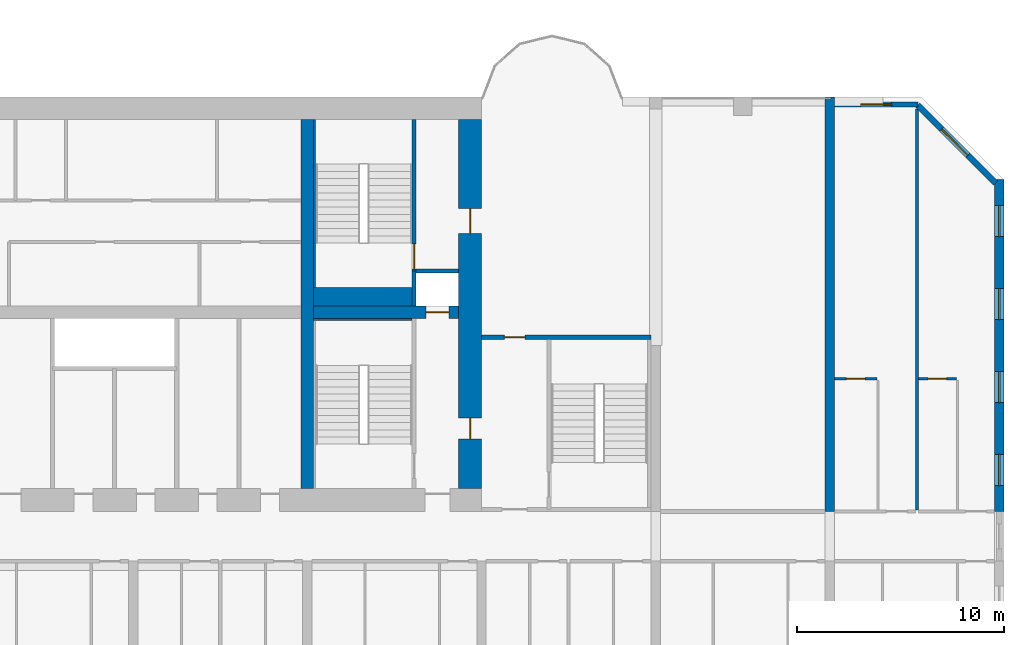
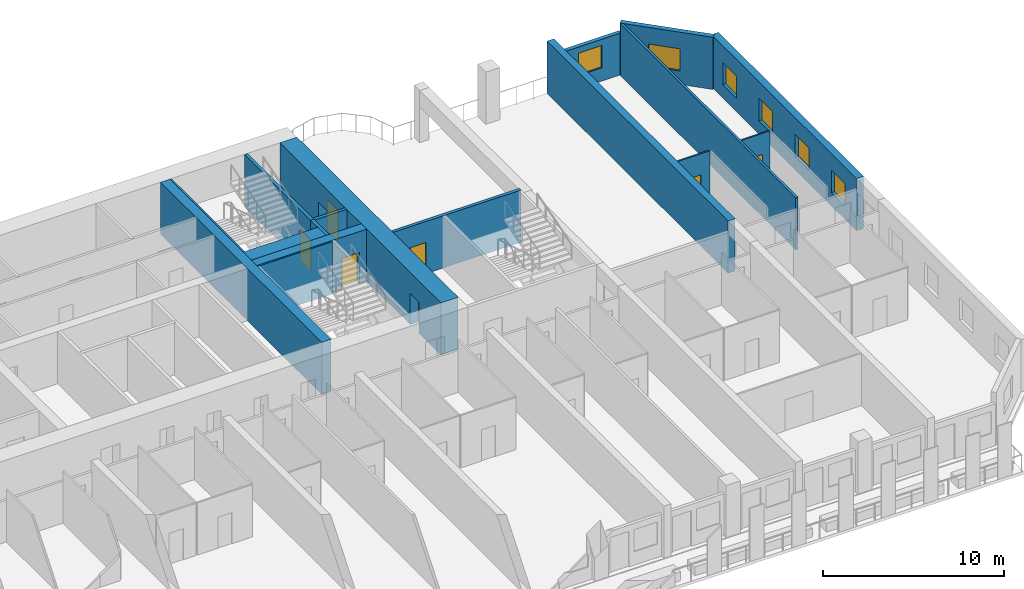
# One storey, part 10 of 14: 17 walls, 7 doors, 6 windows, 13 openings.
"""IFC4 building model written with IfcOpenShell, lengths in metres."""

import ifcopenshell
import ifcopenshell.guid

model = None  # the IFC model being written
_history = None  # IfcOwnerHistory: only IFC2X3 demands one
_inside = {}  # id of a spatial element -> (the spatial element, [elements in it])
_under = {}  # id of a project, library or spatial element -> (it, [spatial elements below it])
_declared = {}  # id of a project -> (the project, [libraries it declares])
_typed = {}  # id of a type object -> (the type object, [elements of that type])
_made_of = {}  # id of a material, layer set ... -> (it, [elements and type objects made of it])


def new_model(schema):
    """Start an empty IFC model of exactly this schema.

    Asked for "IFC4X3", IfcOpenShell would pick the latest addendum, in which some entities
    have other attributes; the version numbers below select the first issue.
    IFC2X3 requires an IfcOwnerHistory on every rooted entity: one is made here for all.
    """
    global model, _history
    if schema == "IFC4X3":
        model = ifcopenshell.file(schema_version=(4, 3, 0, 0))
    else:
        model = ifcopenshell.file(schema=schema)
    _inside.clear()
    _under.clear()
    _declared.clear()
    _typed.clear()
    _made_of.clear()
    _history = None
    if model.schema == "IFC2X3":
        org = make("IfcOrganization", Name="unknown")
        user = make(
            "IfcPersonAndOrganization",
            ThePerson=make("IfcPerson", FamilyName="unknown"),
            TheOrganization=org,
        )
        app = make(
            "IfcApplication",
            ApplicationDeveloper=org,
            Version="unknown",
            ApplicationFullName="unknown",
            ApplicationIdentifier="unknown",
        )
        _history = make(
            "IfcOwnerHistory",
            OwningUser=user,
            OwningApplication=app,
            ChangeAction="ADDED",
            CreationDate=0,
        )
    return model


def make(cls, **values):
    """One entity of the class cls with the attributes given. An attribute that is None is left unset."""
    return model.create_entity(
        cls, **{name: value for name, value in values.items() if value is not None}
    )


def rooted(cls, **values):
    """An entity with a GlobalId (a new one), such as an element, a storey or a relation."""
    return make(cls, GlobalId=ifcopenshell.guid.new(), OwnerHistory=_history, **values)


def si_unit(unit_type, name, prefix=None):
    """IfcSIUnit, for example si_unit("LENGTHUNIT", "METRE", prefix="MILLI")."""
    return make("IfcSIUnit", UnitType=unit_type, Prefix=prefix, Name=name)


def assignment(units):
    """IfcUnitAssignment: the units of a project."""
    return None if units is None else make("IfcUnitAssignment", Units=units)


def point(xyz):
    """IfcCartesianPoint."""
    return None if xyz is None else make("IfcCartesianPoint", Coordinates=xyz)


def direction(xyz):
    """IfcDirection."""
    return None if xyz is None else make("IfcDirection", DirectionRatios=xyz)


def frame(location, z_axis=None, x_axis=None):
    """IfcAxis2Placement3D, a coordinate frame: its origin and axes. An axis left out is left unset."""
    return make(
        "IfcAxis2Placement3D",
        Location=point(location),
        Axis=direction(z_axis),
        RefDirection=direction(x_axis),
    )


def frame_2d(location, x_axis=None):
    """IfcAxis2Placement2D, a coordinate frame in the plane: its origin and x axis."""
    return make(
        "IfcAxis2Placement2D", Location=point(location), RefDirection=direction(x_axis)
    )


def origin():
    """The frame at (0, 0, 0) with its axes left unset."""
    return frame((0.0, 0.0, 0.0))


def place(relative_to, where):
    """IfcLocalPlacement: puts the frame where relative to a parent placement (None: the world)."""
    return make(
        "IfcLocalPlacement", PlacementRelTo=relative_to, RelativePlacement=where
    )


def context(
    kind, dimensions, precision=None, world=None, true_north=None, identifier=None
):
    """IfcGeometricRepresentationContext, for example the 3D "Model" context."""
    return make(
        "IfcGeometricRepresentationContext",
        ContextIdentifier=identifier,
        ContextType=kind,
        CoordinateSpaceDimension=dimensions,
        Precision=precision,
        WorldCoordinateSystem=world,
        TrueNorth=true_north,
    )


def subcontext(parent, identifier, kind, view, scale=None):
    """IfcGeometricRepresentationSubContext, for example "Body" below "Model"."""
    return make(
        "IfcGeometricRepresentationSubContext",
        ContextIdentifier=identifier,
        ContextType=kind,
        ParentContext=parent,
        TargetScale=scale,
        TargetView=view,
    )


def project(units=None, contexts=None):
    """IfcProject with its units and contexts."""
    return rooted(
        "IfcProject",
        Name="project",
        RepresentationContexts=contexts,
        UnitsInContext=assignment(units),
    )


def spatial(cls, under=None, at=None, **own):
    """A site, building, storey or space (cls), placed at a placement, below another one or the project."""
    s = rooted(cls, ObjectPlacement=at, **own)
    if under is not None:
        _under.setdefault(under.id(), (under, []))[1].append(s)
    return s


def profile(cls, at=None, kind="AREA", **sizes):
    """A parametric profile (cls). Its sizes go by their IFC names, for example OverallWidth=200.0."""
    return make(cls, ProfileType=kind, Position=at, **sizes)


def rectangle(**sizes):
    """IfcRectangleProfileDef."""
    return profile("IfcRectangleProfileDef", **sizes)


def extrude(swept, where, along, depth):
    """IfcExtrudedAreaSolid: the profile swept, set in the frame where, extruded along a direction by depth."""
    return make(
        "IfcExtrudedAreaSolid",
        SweptArea=swept,
        Position=where,
        ExtrudedDirection=direction(along),
        Depth=depth,
    )


def shape(context_of_items, identifier, shape_type, items):
    """IfcShapeRepresentation: the items that make up one representation, for example the "Body"."""
    return make(
        "IfcShapeRepresentation",
        ContextOfItems=context_of_items,
        RepresentationIdentifier=identifier,
        RepresentationType=shape_type,
        Items=items,
    )


def source(mapping_origin, context_of_items, identifier, shape_type, items):
    """IfcRepresentationMap: a shape defined once, which mapped items show again and again."""
    return make(
        "IfcRepresentationMap",
        MappingOrigin=mapping_origin,
        MappedRepresentation=shape(context_of_items, identifier, shape_type, items),
    )


def transform(
    local_origin,
    x_axis=None,
    y_axis=None,
    z_axis=None,
    scale=None,
    scale2=None,
    scale3=None,
    uniform=True,
):
    """IfcCartesianTransformationOperator3D, or its non-uniform kind. x_axis, y_axis, z_axis: its Axis1, 2, 3."""
    if uniform:
        return make(
            "IfcCartesianTransformationOperator3D",
            Axis1=direction(x_axis),
            Axis2=direction(y_axis),
            LocalOrigin=point(local_origin),
            Scale=scale,
            Axis3=direction(z_axis),
        )
    return make(
        "IfcCartesianTransformationOperator3DnonUniform",
        Axis1=direction(x_axis),
        Axis2=direction(y_axis),
        LocalOrigin=point(local_origin),
        Scale=scale,
        Axis3=direction(z_axis),
        Scale2=scale2,
        Scale3=scale3,
    )


def mapped(mapping_source, mapping_target):
    """IfcMappedItem: shows the shape of a source again, moved by a transform."""
    return make(
        "IfcMappedItem", MappingSource=mapping_source, MappingTarget=mapping_target
    )


def material(Name=None, Category=None):
    """IfcMaterial."""
    return make("IfcMaterial", Name=Name, Category=Category)


def layer(
    of_material, thickness, ventilated=None, Name=None, Category=None, Priority=None
):
    """IfcMaterialLayer: one layer of a wall or slab, of a material (None: an air gap)."""
    return make(
        "IfcMaterialLayer",
        Material=of_material,
        LayerThickness=thickness,
        IsVentilated=ventilated,
        Name=Name,
        Category=Category,
        Priority=Priority,
    )


def layer_set(layers, Name=None):
    """IfcMaterialLayerSet."""
    return make("IfcMaterialLayerSet", MaterialLayers=layers, LayerSetName=Name)


def made_of(thing, what):
    """Note that an element or type object is made of a material, layer set ...; save() writes the relation."""
    if what is not None:
        _made_of.setdefault(what.id(), (what, []))[1].append(thing)
    return thing


def type_object(cls, material=None, **own):
    """A type object (cls), such as IfcWallType, which elements share."""
    return made_of(rooted(cls, **own), material)


def element(
    cls,
    number,
    at=None,
    inside=None,
    cuts=None,
    type_object=None,
    material=None,
    context=None,
    identifier="Body",
    shape_type=None,
    held_by="IfcProductDefinitionShape",
    body=None,
    shapes=None,
    **own,
):
    """One element of the class cls, such as IfcWall. Its Tag is "e" and its number.

    at: its placement. inside: the storey or other place that contains it. cuts: it is an
    opening in that element (IfcRelVoidsElement). A single representation is given by context,
    identifier, shape_type and body (its items); several are given by shapes. held_by: the class
    of the entity that holds the representations. save() writes the other relations.
    """
    e = rooted(cls, Tag="e%d" % number, ObjectPlacement=at, **own)
    if body is not None:
        shapes = [shape(context, identifier, shape_type, body)]
    if shapes is not None:
        e.Representation = make(held_by, Representations=shapes)
    if inside is not None:
        _inside.setdefault(inside.id(), (inside, []))[1].append(e)
    if cuts is not None:
        rooted(
            "IfcRelVoidsElement", RelatingBuildingElement=cuts, RelatedOpeningElement=e
        )
    if type_object is not None:
        _typed.setdefault(type_object.id(), (type_object, []))[1].append(e)
    return made_of(e, material)


def fill(opening, filler):
    """IfcRelFillsElement: the door or window that sits in an opening."""
    return rooted(
        "IfcRelFillsElement",
        RelatingOpeningElement=opening,
        RelatedBuildingElement=filler,
    )


def aggregate(whole, parts):
    """IfcRelAggregates: a whole, such as a stair, and the parts it consists of."""
    return rooted("IfcRelAggregates", RelatingObject=whole, RelatedObjects=parts)


def save(model, path):
    """Write the relations noted so far, then the file.

    IfcRelAggregates (storeys below a building ...), IfcRelContainedInSpatialStructure (elements
    in a storey), IfcRelDefinesByType, IfcRelAssociatesMaterial and IfcRelDeclares: one each for
    every whole, place, type object, material and project.
    """
    for whole, parts in _under.values():
        aggregate(whole, parts)
    for where, things in _inside.values():
        rooted(
            "IfcRelContainedInSpatialStructure",
            RelatedElements=things,
            RelatingStructure=where,
        )
    for kind, things in _typed.values():
        rooted("IfcRelDefinesByType", RelatedObjects=things, RelatingType=kind)
    for what, things in _made_of.values():
        rooted("IfcRelAssociatesMaterial", RelatedObjects=things, RelatingMaterial=what)
    for by, libraries in _declared.values():
        rooted("IfcRelDeclares", RelatingContext=by, RelatedDefinitions=libraries)
    model.write(path)


model = new_model("IFC4")

# Units and contexts
model_context = context("Model", 3, precision=1e-05, world=origin(), true_north=direction((0.0, 1.0)))
body_context = subcontext(model_context, "Body", "Model", "MODEL_VIEW")
ifc_project = project(units=[si_unit("LENGTHUNIT", "METRE"), si_unit("AREAUNIT", "SQUARE_METRE"), si_unit("VOLUMEUNIT", "CUBIC_METRE"), si_unit("PLANEANGLEUNIT", "RADIAN"), si_unit("MASSUNIT", "GRAM", prefix="KILO")], contexts=[model_context])

# Site, building, storey
site_placement = place(None, origin())
site = spatial("IfcSite", under=ifc_project, at=site_placement, CompositionType="ELEMENT")
building_placement = place(site_placement, origin())
building = spatial("IfcBuilding", under=site, at=building_placement, Name="Vanashikhar Sky Hotel", CompositionType="ELEMENT")
storey_placement = place(building_placement, frame((0.0, 0.0, 43.0)))
storey = spatial("IfcBuildingStorey", under=building, at=storey_placement, Name="L09", CompositionType="ELEMENT", Elevation=43.0)

# Wall, openings, doors
ifc_material_1 = material(Name="Concrete M80", Category="concrete")
ifc_layer_1 = layer(ifc_material_1, 1.10009765625)
ifc_layer_set_1 = layer_set([ifc_layer_1], Name="RC core shell wall 1100 Concrete M80")
wall_type_1 = type_object("IfcWallType", Name="RC core shell wall 1100 Concrete M80", PredefinedType="SHEAR", material=ifc_layer_set_1)
shared_shape_1 = source(origin(), body_context, "Body", "SweptSolid", [
    extrude(rectangle(XDim=17.7998046875, YDim=1.10009765625, at=frame_2d((8.89990234375, 0.0))), origin(), (0.0, 0.0, 1.0), 3.52001953125),
])
wall_1_placement = place(storey_placement, frame((75.050048828125, 23.10009765625, 0.0), z_axis=(0.0, 0.0, 1.0), x_axis=(0.0, 1.0, 0.0)))
wall_1 = element("IfcWall", 1, at=wall_1_placement, inside=storey, type_object=wall_type_1, Name="KW-L09-KE", PredefinedType="SHEAR", context=body_context, shape_type="MappedRepresentation", body=[
    mapped(shared_shape_1, transform((0.0, 0.0, 0.0), scale=1.0)),
])
shared_shape_2 = source(origin(), body_context, "Body", "SweptSolid", [
    extrude(rectangle(XDim=1.0, YDim=2.10009765625, at=frame_2d((0.5, 1.050048828125))), frame((0.0, 0.56005859375, 0.0), z_axis=(0.0, -1.0, 0.0), x_axis=(1.0, 0.0, 0.0)), (0.0, 0.0, 1.0), 1.1201171875),
])
opening_1_placement = place(wall_1_placement, frame((2.39990234375, 0.0, 0.0)))
opening_1 = element("IfcOpeningElement", 2, at=opening_1_placement, cuts=wall_1, Name="Opening DC-5", PredefinedType="OPENING", context=body_context, shape_type="MappedRepresentation", body=[
    mapped(shared_shape_2, transform((0.0, 0.0, 0.0), scale=1.0)),
])
shared_shape_3 = source(origin(), body_context, "Body", "SweptSolid", [
    extrude(rectangle(XDim=1.199951171875, YDim=2.10009765625, at=frame_2d((0.60009765625, 1.050048828125))), frame((0.0, 0.56005859375, 0.0), z_axis=(0.0, -1.0, 0.0), x_axis=(1.0, 0.0, 0.0)), (0.0, 0.0, 1.0), 1.1201171875),
])
opening_2_placement = place(wall_1_placement, frame((12.300048828125, 0.0, 0.0)))
opening_2 = element("IfcOpeningElement", 3, at=opening_2_placement, cuts=wall_1, Name="Opening DC-4-D", PredefinedType="OPENING", context=body_context, shape_type="MappedRepresentation", body=[
    mapped(shared_shape_3, transform((0.0, 0.0, 0.0), scale=1.0)),
])
ifc_material_2 = material(Name="Steel", Category="steel")
door_type_1 = type_object("IfcDoorType", Name="Refuge door 1000 FD120", OperationType="NOTDEFINED", PredefinedType="DOOR", material=ifc_material_2)
shared_shape_4 = source(origin(), body_context, "Body", "SweptSolid", [
    extrude(rectangle(XDim=1.0, YDim=2.10009765625, at=frame_2d((0.5, 1.050048828125))), frame((0.0, 0.02490234375, 0.0), z_axis=(0.0, -1.0, 0.0), x_axis=(1.0, 0.0, 0.0)), (0.0, 0.0, 1.0), 0.050048828125),
])
door_1_placement = place(opening_1_placement, origin())
door_1 = element("IfcDoor", 4, at=door_1_placement, inside=storey, type_object=door_type_1, Name="Refuge door 1000 FD120", OperationType="SINGLE_SWING_LEFT", OverallHeight=2.10009765625, OverallWidth=1.0, PredefinedType="DOOR", context=body_context, shape_type="MappedRepresentation", body=[
    mapped(shared_shape_4, transform((0.0, 0.0, 0.0), scale=1.0)),
])
fill(opening_1, door_1)
door_type_2 = type_object("IfcDoorType", Name="Service door 1200 FD120", OperationType="NOTDEFINED", PredefinedType="DOOR", material=ifc_material_2)
shared_shape_5 = source(origin(), body_context, "Body", "SweptSolid", [
    extrude(rectangle(XDim=1.199951171875, YDim=2.10009765625, at=frame_2d((0.60009765625, 1.050048828125))), frame((0.0, 0.02490234375, 0.0), z_axis=(0.0, -1.0, 0.0), x_axis=(1.0, 0.0, 0.0)), (0.0, 0.0, 1.0), 0.050048828125),
])
door_2_placement = place(opening_2_placement, origin())
door_2 = element("IfcDoor", 5, at=door_2_placement, inside=storey, type_object=door_type_2, Name="Service door 1200 FD120", OperationType="SINGLE_SWING_LEFT", OverallHeight=2.10009765625, OverallWidth=1.199951171875, PredefinedType="DOOR", context=body_context, shape_type="MappedRepresentation", body=[
    mapped(shared_shape_5, transform((0.0, 0.0, 0.0), scale=1.0)),
])
fill(opening_2, door_2)

# Wall
ifc_layer_2 = layer(ifc_material_1, 0.60009765625)
ifc_layer_set_2 = layer_set([ifc_layer_2], Name="RC core inner wall 600 Concrete M80")
wall_type_2 = type_object("IfcWallType", Name="RC core inner wall 600 Concrete M80", PredefinedType="SHEAR", material=ifc_layer_set_2)
shared_shape_6 = source(origin(), body_context, "Body", "SweptSolid", [
    extrude(rectangle(XDim=17.7998046875, YDim=0.60009765625, at=frame_2d((8.89990234375, 0.0))), origin(), (0.0, 0.0, 1.0), 3.52001953125),
])
wall_2_placement = place(storey_placement, frame((67.199951171875, 23.10009765625, 0.0), z_axis=(0.0, 0.0, 1.0), x_axis=(0.0, 1.0, 0.0)))
element("IfcWall", 6, at=wall_2_placement, inside=storey, type_object=wall_type_2, Name="KW-L09-KX3", PredefinedType="SHEAR", context=body_context, shape_type="MappedRepresentation", body=[
    mapped(shared_shape_6, transform((0.0, 0.0, 0.0), scale=1.0)),
])

# Wall, opening, door
shared_shape_7 = source(origin(), body_context, "Body", "SweptSolid", [
    extrude(rectangle(XDim=7.0, YDim=0.60009765625, at=frame_2d((3.5, 0.0))), origin(), (0.0, 0.0, 1.0), 3.52001953125),
])
wall_3_placement = place(storey_placement, frame((67.5, 31.60009765625, 0.0), z_axis=(0.0, 0.0, 1.0), x_axis=(1.0, 0.0, 0.0)))
wall_3 = element("IfcWall", 7, at=wall_3_placement, inside=storey, type_object=wall_type_2, Name="KW-L09-KY4", PredefinedType="SHEAR", context=body_context, shape_type="MappedRepresentation", body=[
    mapped(shared_shape_7, transform((0.0, 0.0, 0.0), scale=1.0)),
])
shared_shape_8 = source(origin(), body_context, "Body", "SweptSolid", [
    extrude(rectangle(XDim=1.10009765625, YDim=2.10009765625, at=frame_2d((0.550048828125, 1.050048828125))), frame((0.0, 0.31005859375, 0.0), z_axis=(0.0, -1.0, 0.0), x_axis=(1.0, 0.0, 0.0)), (0.0, 0.0, 1.0), 0.6201171875),
])
opening_3_placement = place(wall_3_placement, frame((5.425048828125, 0.0, 0.0)))
opening_3 = element("IfcOpeningElement", 8, at=opening_3_placement, cuts=wall_3, Name="Opening LD", PredefinedType="OPENING", context=body_context, shape_type="MappedRepresentation", body=[
    mapped(shared_shape_8, transform((0.0, 0.0, 0.0), scale=1.0)),
])
ifc_material_3 = material(Name="Stainless steel", Category="steel")
door_type_3 = type_object("IfcDoorType", Name="Lift landing door 1100", OperationType="NOTDEFINED", PredefinedType="DOOR", material=ifc_material_3)
shared_shape_9 = source(origin(), body_context, "Body", "SweptSolid", [
    extrude(rectangle(XDim=1.10009765625, YDim=2.10009765625, at=frame_2d((0.550048828125, 1.050048828125))), frame((0.0, 0.02490234375, 0.0), z_axis=(0.0, -1.0, 0.0), x_axis=(1.0, 0.0, 0.0)), (0.0, 0.0, 1.0), 0.050048828125),
])
door_3_placement = place(opening_3_placement, origin())
door_3 = element("IfcDoor", 9, at=door_3_placement, inside=storey, type_object=door_type_3, Name="Lift landing door 1100", OperationType="SLIDING_TO_RIGHT", OverallHeight=2.10009765625, OverallWidth=1.10009765625, PredefinedType="DOOR", context=body_context, shape_type="MappedRepresentation", body=[
    mapped(shared_shape_9, transform((0.0, 0.0, 0.0), scale=1.0)),
])
fill(opening_3, door_3)

# Wall, openings, windows
ifc_layer_3 = layer(ifc_material_1, 0.449951171875)
ifc_layer_set_3 = layer_set([ifc_layer_3], Name="RC shear wall 450 Concrete M80")
wall_type_3 = type_object("IfcWallType", Name="RC shear wall 450 Concrete M80", PredefinedType="SHEAR", material=ifc_layer_set_3)
shared_shape_10 = source(origin(), body_context, "Body", "SweptSolid", [
    extrude(rectangle(XDim=16.0, YDim=0.449951171875, at=frame_2d((8.0, 0.0))), origin(), (0.0, 0.0, 1.0), 3.52001953125),
])
wall_4_placement = place(storey_placement, frame((100.574951171875, 22.0, 0.0), z_axis=(0.0, 0.0, 1.0), x_axis=(0.0, 1.0, 0.0)))
wall_4 = element("IfcWall", 10, at=wall_4_placement, inside=storey, type_object=wall_type_3, Name="CW-L09-XW13-2", PredefinedType="SHEAR", context=body_context, shape_type="MappedRepresentation", body=[
    mapped(shared_shape_10, transform((0.0, 0.0, 0.0), scale=1.0)),
])
shared_shape_11 = source(origin(), body_context, "Body", "SweptSolid", [
    extrude(rectangle(XDim=1.5, YDim=1.5, at=frame_2d((0.75, 0.75))), frame((0.0, 0.23486328125, 0.0), z_axis=(0.0, -1.0, 0.0), x_axis=(1.0, 0.0, 0.0)), (0.0, 0.0, 1.0), 0.469970703125),
])
opening_4_placement = place(wall_4_placement, frame((1.25, 0.0, 0.89990234375)))
opening_4 = element("IfcOpeningElement", 11, at=opening_4_placement, cuts=wall_4, Name="Opening WN-1", PredefinedType="OPENING", context=body_context, shape_type="MappedRepresentation", body=[
    mapped(shared_shape_11, transform((0.0, 0.0, 0.0), scale=1.0)),
])
opening_5_placement = place(wall_4_placement, frame((5.25, 0.0, 0.89990234375)))
opening_5 = element("IfcOpeningElement", 12, at=opening_5_placement, cuts=wall_4, Name="Opening WN-1", PredefinedType="OPENING", context=body_context, shape_type="MappedRepresentation", body=[
    mapped(shared_shape_11, transform((0.0, 0.0, 0.0), scale=1.0)),
])
opening_6_placement = place(wall_4_placement, frame((9.25, 0.0, 0.89990234375)))
opening_6 = element("IfcOpeningElement", 13, at=opening_6_placement, cuts=wall_4, Name="Opening WN-1", PredefinedType="OPENING", context=body_context, shape_type="MappedRepresentation", body=[
    mapped(shared_shape_11, transform((0.0, 0.0, 0.0), scale=1.0)),
])
opening_7_placement = place(wall_4_placement, frame((13.25, 0.0, 0.89990234375)))
opening_7 = element("IfcOpeningElement", 14, at=opening_7_placement, cuts=wall_4, Name="Opening WN-1", PredefinedType="OPENING", context=body_context, shape_type="MappedRepresentation", body=[
    mapped(shared_shape_11, transform((0.0, 0.0, 0.0), scale=1.0)),
])
ifc_material_4 = material(Name="Glass", Category="glass")
window_type_1 = type_object("IfcWindowType", Name="Window 1500 x 1500", PartitioningType="SINGLE_PANEL", PredefinedType="WINDOW", material=ifc_material_4)
shared_shape_12 = source(origin(), body_context, "Body", "SweptSolid", [
    extrude(rectangle(XDim=1.5, YDim=1.5, at=frame_2d((0.75, 0.75))), frame((0.0, 0.030029296875, 0.0), z_axis=(0.0, -1.0, 0.0), x_axis=(1.0, 0.0, 0.0)), (0.0, 0.0, 1.0), 0.06005859375),
])
window_1_placement = place(opening_4_placement, origin())
window_1 = element("IfcWindow", 15, at=window_1_placement, inside=storey, type_object=window_type_1, Name="Window WN-1", OverallHeight=1.5, OverallWidth=1.5, PartitioningType="SINGLE_PANEL", PredefinedType="WINDOW", context=body_context, shape_type="MappedRepresentation", body=[
    mapped(shared_shape_12, transform((0.0, 0.0, 0.0), scale=1.0)),
])
fill(opening_4, window_1)
window_2_placement = place(opening_5_placement, origin())
window_2 = element("IfcWindow", 16, at=window_2_placement, inside=storey, type_object=window_type_1, Name="Window WN-1", OverallHeight=1.5, OverallWidth=1.5, PartitioningType="SINGLE_PANEL", PredefinedType="WINDOW", context=body_context, shape_type="MappedRepresentation", body=[
    mapped(shared_shape_12, transform((0.0, 0.0, 0.0), scale=1.0)),
])
fill(opening_5, window_2)
window_3_placement = place(opening_6_placement, origin())
window_3 = element("IfcWindow", 17, at=window_3_placement, inside=storey, type_object=window_type_1, Name="Window WN-1", OverallHeight=1.5, OverallWidth=1.5, PartitioningType="SINGLE_PANEL", PredefinedType="WINDOW", context=body_context, shape_type="MappedRepresentation", body=[
    mapped(shared_shape_12, transform((0.0, 0.0, 0.0), scale=1.0)),
])
fill(opening_6, window_3)
window_4_placement = place(opening_7_placement, origin())
window_4 = element("IfcWindow", 18, at=window_4_placement, inside=storey, type_object=window_type_1, Name="Window WN-1", OverallHeight=1.5, OverallWidth=1.5, PartitioningType="SINGLE_PANEL", PredefinedType="WINDOW", context=body_context, shape_type="MappedRepresentation", body=[
    mapped(shared_shape_12, transform((0.0, 0.0, 0.0), scale=1.0)),
])
fill(opening_7, window_4)

# Wall
shared_shape_13 = source(origin(), body_context, "Body", "SweptSolid", [
    extrude(rectangle(XDim=20.0, YDim=0.449951171875, at=frame_2d((10.0, 0.0))), origin(), (0.0, 0.0, 1.0), 3.52001953125),
])
wall_5_placement = place(storey_placement, frame((92.39990234375, 22.0, 0.0), z_axis=(0.0, 0.0, 1.0), x_axis=(0.0, 1.0, 0.0)))
element("IfcWall", 19, at=wall_5_placement, inside=storey, type_object=wall_type_3, Name="CW-L09-XW12-2", PredefinedType="SHEAR", context=body_context, shape_type="MappedRepresentation", body=[
    mapped(shared_shape_13, transform((0.0, 0.0, 0.0), scale=1.0)),
])

# Wall, opening, window
ifc_material_5 = material(Name="Concrete M50", Category="concrete")
ifc_layer_4 = layer(ifc_material_5, 0.300048828125)
ifc_layer_set_4 = layer_set([ifc_layer_4], Name="Lobe wall 300")
wall_type_4 = type_object("IfcWallType", Name="Lobe wall 300", PredefinedType="SOLIDWALL", material=ifc_layer_set_4)
shared_shape_14 = source(origin(), body_context, "Body", "SweptSolid", [
    extrude(rectangle(XDim=5.32568359375, YDim=0.300048828125, at=frame_2d((2.662841796875, 0.0))), origin(), (0.0, 0.0, 1.0), 3.52001953125),
])
wall_6_placement = place(storey_placement, frame((100.39990234375, 37.834228515625, 0.0), z_axis=(0.0, 0.0, 1.0), x_axis=(-0.707083859269, 0.707129702361, 0.0)))
wall_6 = element("IfcWall", 20, at=wall_6_placement, inside=storey, type_object=wall_type_4, Name="Corner wall", PredefinedType="SOLIDWALL", context=body_context, shape_type="MappedRepresentation", body=[
    mapped(shared_shape_14, transform((0.0, 0.0, 0.0), scale=1.0)),
])
shared_shape_15 = source(origin(), body_context, "Body", "SweptSolid", [
    extrude(rectangle(XDim=1.800048828125, YDim=1.5, at=frame_2d((0.89990234375, 0.75))), frame((0.0, 0.16015625, 0.0), z_axis=(0.0, -1.0, 0.0), x_axis=(1.0, 0.0, 0.0)), (0.0, 0.0, 1.0), 0.320068359375),
])
opening_8_placement = place(wall_6_placement, frame((1.888916015625, 0.0, 0.89990234375)))
opening_8 = element("IfcOpeningElement", 21, at=opening_8_placement, cuts=wall_6, Name="Opening WN-4", PredefinedType="OPENING", context=body_context, shape_type="MappedRepresentation", body=[
    mapped(shared_shape_15, transform((0.0, 0.0, 0.0), scale=1.0)),
])
window_type_2 = type_object("IfcWindowType", Name="Corner window 1800 x 1500", PartitioningType="SINGLE_PANEL", PredefinedType="WINDOW", material=ifc_material_4)
shared_shape_16 = source(origin(), body_context, "Body", "SweptSolid", [
    extrude(rectangle(XDim=1.800048828125, YDim=1.5, at=frame_2d((0.89990234375, 0.75))), frame((0.0, 0.030029296875, 0.0), z_axis=(0.0, -1.0, 0.0), x_axis=(1.0, 0.0, 0.0)), (0.0, 0.0, 1.0), 0.06005859375),
])
window_5_placement = place(opening_8_placement, origin())
window_5 = element("IfcWindow", 22, at=window_5_placement, inside=storey, type_object=window_type_2, Name="Window WN-4", OverallHeight=1.5, OverallWidth=1.800048828125, PartitioningType="SINGLE_PANEL", PredefinedType="WINDOW", context=body_context, shape_type="MappedRepresentation", body=[
    mapped(shared_shape_16, transform((0.0, 0.0, 0.0), scale=1.0)),
])
fill(opening_8, window_5)

ifc_layer_5 = layer(ifc_material_5, 0.25)
ifc_layer_set_5 = layer_set([ifc_layer_5], Name="Rear and end board-marked wall 250")
wall_type_5 = type_object("IfcWallType", Name="Rear and end board-marked wall 250", PredefinedType="SOLIDWALL", material=ifc_layer_set_5)
shared_shape_17 = source(origin(), body_context, "Body", "SweptSolid", [
    extrude(rectangle(XDim=4.019775390625, YDim=0.25, at=frame_2d((2.009765625, 0.0))), origin(), (0.0, 0.0, 1.0), 2.820068359375),
])
wall_7_placement = place(storey_placement, frame((96.644775390625, 41.625, 0.0), z_axis=(0.0, 0.0, 1.0), x_axis=(-1.0, 0.0, 0.0)))
wall_7 = element("IfcWall", 23, at=wall_7_placement, inside=storey, type_object=wall_type_5, Name="Rear board-marked wall", PredefinedType="SOLIDWALL", context=body_context, shape_type="MappedRepresentation", body=[
    mapped(shared_shape_17, transform((0.0, 0.0, 0.0), scale=1.0)),
])
shared_shape_18 = source(origin(), body_context, "Body", "SweptSolid", [
    extrude(rectangle(XDim=1.5, YDim=1.5, at=frame_2d((0.75, 0.75))), frame((0.0, 0.135009765625, 0.0), z_axis=(0.0, -1.0, 0.0), x_axis=(1.0, 0.0, 0.0)), (0.0, 0.0, 1.0), 0.27001953125),
])
opening_9_placement = place(wall_7_placement, frame((1.260009765625, 0.0, 0.89990234375)))
opening_9 = element("IfcOpeningElement", 24, at=opening_9_placement, cuts=wall_7, Name="Opening WN-1", PredefinedType="OPENING", context=body_context, shape_type="MappedRepresentation", body=[
    mapped(shared_shape_18, transform((0.0, 0.0, 0.0), scale=1.0)),
])
window_6_placement = place(opening_9_placement, origin())
window_6 = element("IfcWindow", 25, at=window_6_placement, inside=storey, type_object=window_type_1, Name="Window WN-1", OverallHeight=1.5, OverallWidth=1.5, PartitioningType="SINGLE_PANEL", PredefinedType="WINDOW", context=body_context, shape_type="MappedRepresentation", body=[
    mapped(shared_shape_12, transform((0.0, 0.0, 0.0), scale=1.0)),
])
fill(opening_9, window_6)

# Wall
ifc_material_6 = material(Name="Concrete M40", Category="concrete")
ifc_layer_6 = layer(ifc_material_6, 0.199951171875)
ifc_layer_set_6 = layer_set([ifc_layer_6], Name="Shaft wall 200")
wall_type_6 = type_object("IfcWallType", Name="Shaft wall 200", PredefinedType="SOLIDWALL", material=ifc_layer_set_6)
shared_shape_19 = source(origin(), body_context, "Body", "SweptSolid", [
    extrude(rectangle(XDim=1.7001953125, YDim=0.199951171875, at=frame_2d((0.85009765625, 0.0))), origin(), (0.0, 0.0, 1.0), 3.52001953125),
])
wall_8_placement = place(storey_placement, frame((72.35009765625, 31.89990234375, 0.0), z_axis=(0.0, 0.0, 1.0), x_axis=(0.0, 1.0, 0.0)))
element("IfcWall", 26, at=wall_8_placement, inside=storey, type_object=wall_type_6, Name="Shaft wall 200", PredefinedType="SOLIDWALL", context=body_context, shape_type="MappedRepresentation", body=[
    mapped(shared_shape_19, transform((0.0, 0.0, 0.0), scale=1.0)),
])

# Wall, opening, door
ifc_layer_7 = layer(ifc_material_5, 0.199951171875)
ifc_layer_set_7 = layer_set([ifc_layer_7], Name="Stair wall 200")
wall_type_7 = type_object("IfcWallType", Name="Stair wall 200", PredefinedType="SOLIDWALL", material=ifc_layer_set_7)
shared_shape_20 = source(origin(), body_context, "Body", "SweptSolid", [
    extrude(rectangle(XDim=7.2998046875, YDim=0.199951171875, at=frame_2d((3.64990234375, 0.0))), origin(), (0.0, 0.0, 1.0), 3.52001953125),
])
wall_9_placement = place(storey_placement, frame((72.35009765625, 33.60009765625, 0.0), z_axis=(0.0, 0.0, 1.0), x_axis=(0.0, 1.0, 0.0)))
wall_9 = element("IfcWall", 27, at=wall_9_placement, inside=storey, type_object=wall_type_7, Name="Stair wall 200", PredefinedType="SOLIDWALL", context=body_context, shape_type="MappedRepresentation", body=[
    mapped(shared_shape_20, transform((0.0, 0.0, 0.0), scale=1.0)),
])
shared_shape_21 = source(origin(), body_context, "Body", "SweptSolid", [
    extrude(rectangle(XDim=1.199951171875, YDim=2.10009765625, at=frame_2d((0.60009765625, 1.050048828125))), frame((0.0, 0.10986328125, 0.0), z_axis=(0.0, -1.0, 0.0), x_axis=(1.0, 0.0, 0.0)), (0.0, 0.0, 1.0), 0.219970703125),
])
opening_10_placement = place(wall_9_placement, frame((0.10009765625, 0.0, 0.0)))
opening_10 = element("IfcOpeningElement", 28, at=opening_10_placement, cuts=wall_9, Name="Opening DC-1", PredefinedType="OPENING", context=body_context, shape_type="MappedRepresentation", body=[
    mapped(shared_shape_21, transform((0.0, 0.0, 0.0), scale=1.0)),
])
door_type_4 = type_object("IfcDoorType", Name="Stair door 1200 FD120", OperationType="NOTDEFINED", PredefinedType="DOOR", material=ifc_material_2)
door_4_placement = place(opening_10_placement, origin())
door_4 = element("IfcDoor", 29, at=door_4_placement, inside=storey, type_object=door_type_4, Name="Stair door 1200 FD120", OperationType="SINGLE_SWING_LEFT", OverallHeight=2.10009765625, OverallWidth=1.199951171875, PredefinedType="DOOR", context=body_context, shape_type="MappedRepresentation", body=[
    mapped(shared_shape_5, transform((0.0, 0.0, 0.0), scale=1.0)),
])
fill(opening_10, door_4)

# Wall
shared_shape_22 = source(origin(), body_context, "Body", "SweptSolid", [
    extrude(rectangle(XDim=2.050048828125, YDim=0.199951171875, at=frame_2d((1.02490234375, 0.0))), origin(), (0.0, 0.0, 1.0), 3.52001953125),
])
wall_10_placement = place(storey_placement, frame((72.449951171875, 33.60009765625, 0.0), z_axis=(0.0, 0.0, 1.0), x_axis=(1.0, 0.0, 0.0)))
element("IfcWall", 30, at=wall_10_placement, inside=storey, type_object=wall_type_6, Name="Shaft wall 200", PredefinedType="SOLIDWALL", context=body_context, shape_type="MappedRepresentation", body=[
    mapped(shared_shape_22, transform((0.0, 0.0, 0.0), scale=1.0)),
])

# Wall, opening, door
shared_shape_23 = source(origin(), body_context, "Body", "SweptSolid", [
    extrude(rectangle(XDim=8.1748046875, YDim=0.199951171875, at=frame_2d((4.08740234375, 0.0))), origin(), (0.0, 0.0, 1.0), 3.52001953125),
])
wall_11_placement = place(storey_placement, frame((83.77490234375, 30.39990234375, 0.0), z_axis=(0.0, 0.0, 1.0), x_axis=(-1.0, 0.0, 0.0)))
wall_11 = element("IfcWall", 31, at=wall_11_placement, inside=storey, type_object=wall_type_7, Name="Stair wall 200", PredefinedType="SOLIDWALL", context=body_context, shape_type="MappedRepresentation", body=[
    mapped(shared_shape_23, transform((0.0, 0.0, 0.0), scale=1.0)),
])
shared_shape_24 = source(origin(), body_context, "Body", "SweptSolid", [
    extrude(rectangle(XDim=1.0, YDim=2.10009765625, at=frame_2d((0.5, 1.050048828125))), frame((0.0, 0.10986328125, 0.0), z_axis=(0.0, -1.0, 0.0), x_axis=(1.0, 0.0, 0.0)), (0.0, 0.0, 1.0), 0.219970703125),
])
opening_11_placement = place(wall_11_placement, frame((6.074951171875, 0.0, 0.0)))
opening_11 = element("IfcOpeningElement", 32, at=opening_11_placement, cuts=wall_11, Name="Opening DC-6", PredefinedType="OPENING", context=body_context, shape_type="MappedRepresentation", body=[
    mapped(shared_shape_24, transform((0.0, 0.0, 0.0), scale=1.0)),
])
door_type_5 = type_object("IfcDoorType", Name="Pocket door 1000 FD60", OperationType="NOTDEFINED", PredefinedType="DOOR", material=ifc_material_2)
door_5_placement = place(opening_11_placement, origin())
door_5 = element("IfcDoor", 33, at=door_5_placement, inside=storey, type_object=door_type_5, Name="Pocket door 1000 FD60", OperationType="SINGLE_SWING_LEFT", OverallHeight=2.10009765625, OverallWidth=1.0, PredefinedType="DOOR", context=body_context, shape_type="MappedRepresentation", body=[
    mapped(shared_shape_4, transform((0.0, 0.0, 0.0), scale=1.0)),
])
fill(opening_11, door_5)

# Walls
ifc_layer_8 = layer(ifc_material_5, 0.10009765625)
ifc_layer_set_8 = layer_set([ifc_layer_8], Name="Stair infill wall 100")
wall_type_8 = type_object("IfcWallType", Name="Stair infill wall 100", PredefinedType="SOLIDWALL", material=ifc_layer_set_8)
shared_shape_25 = source(origin(), body_context, "Body", "SweptSolid", [
    extrude(rectangle(XDim=4.75, YDim=0.10009765625, at=frame_2d((2.375, 0.0))), origin(), (0.0, 0.0, 1.0), 3.52001953125),
])
wall_12_placement = place(storey_placement, frame((67.5, 31.25, 0.0), z_axis=(0.0, 0.0, 1.0), x_axis=(1.0, 0.0, 0.0)))
element("IfcWall", 34, at=wall_12_placement, inside=storey, type_object=wall_type_8, Name="Stair infill wall 100", PredefinedType="SOLIDWALL", context=body_context, shape_type="MappedRepresentation", body=[
    mapped(shared_shape_25, transform((0.0, 0.0, 0.0), scale=1.0)),
])
shared_shape_26 = source(origin(), body_context, "Body", "SweptSolid", [
    extrude(rectangle(XDim=8.099853515625, YDim=0.10009765625, at=frame_2d((4.0498046875, 0.0))), origin(), (0.0, 0.0, 1.0), 3.52001953125),
])
wall_13_placement = place(storey_placement, frame((67.550048828125, 32.800048828125, 0.0), z_axis=(0.0, 0.0, 1.0), x_axis=(0.0, 1.0, 0.0)))
element("IfcWall", 35, at=wall_13_placement, inside=storey, type_object=wall_type_8, Name="Stair infill wall 100", PredefinedType="SOLIDWALL", context=body_context, shape_type="MappedRepresentation", body=[
    mapped(shared_shape_26, transform((0.0, 0.0, 0.0), scale=1.0)),
])
ifc_layer_9 = layer(ifc_material_5, 0.89990234375)
ifc_layer_set_9 = layer_set([ifc_layer_9], Name="Stair infill wall 900")
wall_type_9 = type_object("IfcWallType", Name="Stair infill wall 900", PredefinedType="SOLIDWALL", material=ifc_layer_set_9)
shared_shape_27 = source(origin(), body_context, "Body", "SweptSolid", [
    extrude(rectangle(XDim=4.75, YDim=0.89990234375, at=frame_2d((2.375, 0.0))), origin(), (0.0, 0.0, 1.0), 3.52001953125),
])
wall_14_placement = place(storey_placement, frame((67.5, 32.35009765625, 0.0), z_axis=(0.0, 0.0, 1.0), x_axis=(1.0, 0.0, 0.0)))
element("IfcWall", 36, at=wall_14_placement, inside=storey, type_object=wall_type_9, Name="Stair infill wall 900", PredefinedType="SOLIDWALL", context=body_context, shape_type="MappedRepresentation", body=[
    mapped(shared_shape_27, transform((0.0, 0.0, 0.0), scale=1.0)),
])

# Wall, opening, door
ifc_material_7 = material(Name="Gypsum plasterboard partition")
ifc_layer_10 = layer(ifc_material_7, 0.10009765625)
ifc_layer_set_10 = layer_set([ifc_layer_10], Name="Wet room partition 100")
wall_type_10 = type_object("IfcWallType", Name="Wet room partition 100", PredefinedType="PARTITIONING", material=ifc_layer_set_10)
shared_shape_28 = source(origin(), body_context, "Body", "SweptSolid", [
    extrude(rectangle(XDim=1.824951171875, YDim=0.10009765625, at=frame_2d((0.91259765625, 0.0))), origin(), (0.0, 0.0, 1.0), 3.52001953125),
])
wall_15_placement = place(storey_placement, frame((96.675048828125, 28.39990234375, 0.0), z_axis=(0.0, 0.0, 1.0), x_axis=(1.0, 0.0, 0.0)))
wall_15 = element("IfcWall", 37, at=wall_15_placement, inside=storey, type_object=wall_type_10, Name="W-L09-PW086", PredefinedType="PARTITIONING", context=body_context, shape_type="MappedRepresentation", body=[
    mapped(shared_shape_28, transform((0.0, 0.0, 0.0), scale=1.0)),
])
shared_shape_29 = source(origin(), body_context, "Body", "SweptSolid", [
    extrude(rectangle(XDim=0.89990234375, YDim=2.10009765625, at=frame_2d((0.449951171875, 1.050048828125))), frame((0.0, 0.06005859375, 0.0), z_axis=(0.0, -1.0, 0.0), x_axis=(1.0, 0.0, 0.0)), (0.0, 0.0, 1.0), 0.1201171875),
])
opening_12_placement = place(wall_15_placement, frame((0.462890625, 0.0, 0.0)))
opening_12 = element("IfcOpeningElement", 38, at=opening_12_placement, cuts=wall_15, Name="Opening D-02", PredefinedType="OPENING", context=body_context, shape_type="MappedRepresentation", body=[
    mapped(shared_shape_29, transform((0.0, 0.0, 0.0), scale=1.0)),
])
ifc_material_8 = material(Name="Timber door", Category="wood")
door_type_6 = type_object("IfcDoorType", Name="Internal door 900", OperationType="NOTDEFINED", PredefinedType="DOOR", material=ifc_material_8)
shared_shape_30 = source(origin(), body_context, "Body", "SweptSolid", [
    extrude(rectangle(XDim=0.89990234375, YDim=2.10009765625, at=frame_2d((0.449951171875, 1.050048828125))), frame((0.0, 0.02490234375, 0.0), z_axis=(0.0, -1.0, 0.0), x_axis=(1.0, 0.0, 0.0)), (0.0, 0.0, 1.0), 0.050048828125),
])
door_6_placement = place(opening_12_placement, origin())
door_6 = element("IfcDoor", 39, at=door_6_placement, inside=storey, type_object=door_type_6, Name="D-L09-050", OperationType="SINGLE_SWING_RIGHT", OverallHeight=2.10009765625, OverallWidth=0.89990234375, PredefinedType="DOOR", context=body_context, shape_type="MappedRepresentation", body=[
    mapped(shared_shape_30, transform((0.0, 0.0, 0.0), scale=1.0)),
])
fill(opening_12, door_6)

shared_shape_31 = source(origin(), body_context, "Body", "SweptSolid", [
    extrude(rectangle(XDim=2.050048828125, YDim=0.10009765625, at=frame_2d((1.02490234375, 0.0))), origin(), (0.0, 0.0, 1.0), 3.52001953125),
])
wall_16_placement = place(storey_placement, frame((92.625, 28.39990234375, 0.0), z_axis=(0.0, 0.0, 1.0), x_axis=(1.0, 0.0, 0.0)))
wall_16 = element("IfcWall", 40, at=wall_16_placement, inside=storey, type_object=wall_type_10, Name="W-L09-PW083", PredefinedType="PARTITIONING", context=body_context, shape_type="MappedRepresentation", body=[
    mapped(shared_shape_31, transform((0.0, 0.0, 0.0), scale=1.0)),
])
opening_13_placement = place(wall_16_placement, frame((0.574951171875, 0.0, 0.0)))
opening_13 = element("IfcOpeningElement", 41, at=opening_13_placement, cuts=wall_16, Name="Opening D-02", PredefinedType="OPENING", context=body_context, shape_type="MappedRepresentation", body=[
    mapped(shared_shape_29, transform((0.0, 0.0, 0.0), scale=1.0)),
])
door_7_placement = place(opening_13_placement, origin())
door_7 = element("IfcDoor", 42, at=door_7_placement, inside=storey, type_object=door_type_6, Name="D-L09-048", OperationType="SINGLE_SWING_RIGHT", OverallHeight=2.10009765625, OverallWidth=0.89990234375, PredefinedType="DOOR", context=body_context, shape_type="MappedRepresentation", body=[
    mapped(shared_shape_30, transform((0.0, 0.0, 0.0), scale=1.0)),
])
fill(opening_13, door_7)

# Wall
ifc_layer_11 = layer(ifc_material_7, 0.14990234375)
ifc_layer_set_11 = layer_set([ifc_layer_11], Name="Corridor and demising partition 150")
wall_type_11 = type_object("IfcWallType", Name="Corridor and demising partition 150", PredefinedType="PARTITIONING", material=ifc_layer_set_11)
shared_shape_32 = source(origin(), body_context, "Body", "SweptSolid", [
    extrude(rectangle(XDim=19.34716796875, YDim=0.14990234375, at=frame_2d((9.673583984375, 0.0))), origin(), (0.0, 0.0, 1.0), 3.52001953125),
])
wall_17_placement = place(storey_placement, frame((96.60009765625, 22.074951171875, 0.0), z_axis=(0.0, 0.0, 1.0), x_axis=(0.0, 1.0, 0.0)))
element("IfcWall", 43, at=wall_17_placement, inside=storey, type_object=wall_type_11, Name="W-L09-PW088", PredefinedType="PARTITIONING", context=body_context, shape_type="MappedRepresentation", body=[
    mapped(shared_shape_32, transform((0.0, 0.0, 0.0), scale=1.0)),
])

save(model, "model.ifc")
